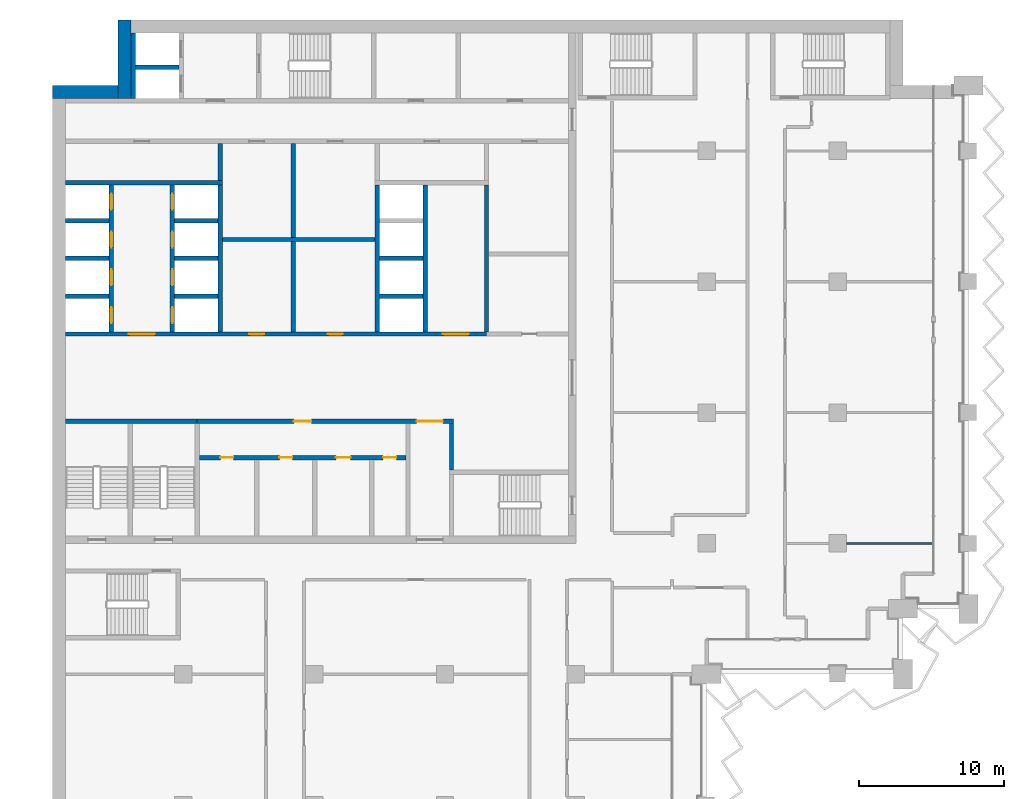
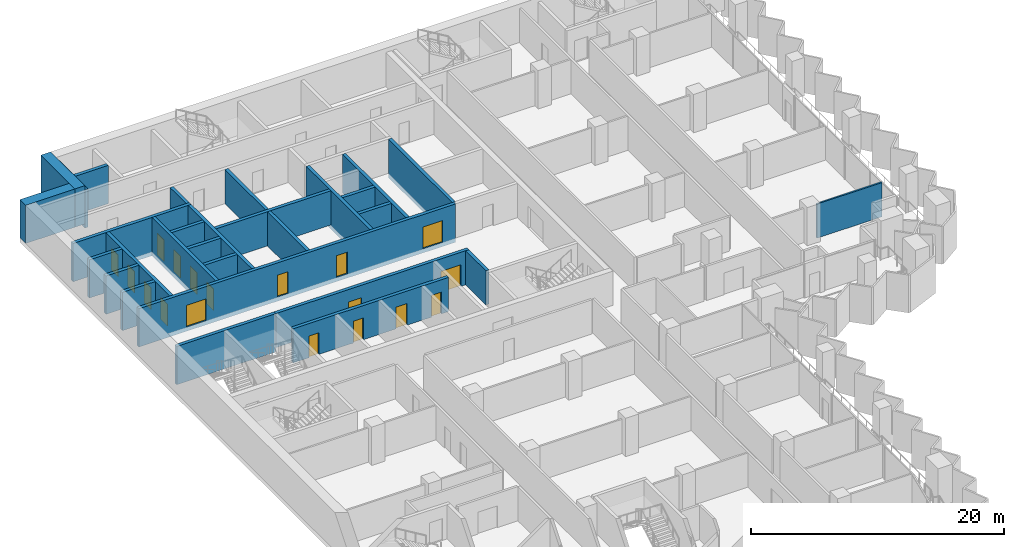
# One storey, part 12 of 22: 28 walls, 18 doors, 18 openings.
"""IFC4 building model written with IfcOpenShell, lengths in metres."""

from ifc_helpers import new_model, si_unit, direction, frame, frame_2d, origin, place, context, subcontext, project, spatial, rectangle, extrude, material, layer, layer_set, type_object, element, fill, save


model = new_model("IFC4")

# Units and contexts
model_context = context("Model", 3, precision=1e-05, world=origin(), true_north=direction((0.0, 1.0)))
body_context = subcontext(model_context, "Body", "Model", "MODEL_VIEW")
ifc_project = project(units=[si_unit("LENGTHUNIT", "METRE"), si_unit("AREAUNIT", "SQUARE_METRE"), si_unit("VOLUMEUNIT", "CUBIC_METRE"), si_unit("PLANEANGLEUNIT", "RADIAN"), si_unit("MASSUNIT", "GRAM", prefix="KILO")], contexts=[model_context])

# Site, building, storey
site_placement = place(None, origin())
site = spatial("IfcSite", under=ifc_project, at=site_placement, CompositionType="ELEMENT")
building_placement = place(site_placement, origin())
building = spatial("IfcBuilding", under=site, at=building_placement, Name="Hunhe Ridgeline Campus", CompositionType="ELEMENT")
storey_placement = place(building_placement, frame((0.0, 0.0, 133.800048828125)))
storey = spatial("IfcBuildingStorey", under=building, at=storey_placement, Name="L33", CompositionType="ELEMENT", Elevation=133.800048828125)

# Wall, openings, doors
ifc_material_1 = material(Name="Masonry concrete blockwork", Category="masonry")
ifc_layer_1 = layer(ifc_material_1, 0.300048828125)
ifc_layer_set_1 = layer_set([ifc_layer_1], Name="Core room partition 300 concrete block")
wall_type_1 = type_object("IfcWallType", Name="Core room partition 300 concrete block", PredefinedType="PARTITIONING", material=ifc_layer_set_1)
wall_1_placement = place(storey_placement, frame((10.10009765625, 68.89990234375, 0.0), z_axis=(0.0, 0.0, 1.0), x_axis=(1.0, 0.0, 0.0)))
wall_1 = element("IfcWall", 1, at=wall_1_placement, inside=storey, type_object=wall_type_1, Name="L33 core partition 9", PredefinedType="PARTITIONING", context=body_context, shape_type="SweptSolid", body=[
    extrude(rectangle(XDim=14.199951171875, YDim=0.300048828125, at=frame_2d((7.10009765625, 0.0))), origin(), (0.0, 0.0, 1.0), 3.300048828125),
])
opening_1_placement = place(wall_1_placement, frame((1.449951171875, 0.0, 0.0)))
opening_1 = element("IfcOpeningElement", 2, at=opening_1_placement, cuts=wall_1, Name="Opening CD8", PredefinedType="OPENING", context=body_context, shape_type="SweptSolid", body=[
    extrude(rectangle(XDim=0.89990234375, YDim=2.10009765625, at=frame_2d((0.449951171875, 1.050048828125))), frame((0.0, 0.14990234375, 0.0), z_axis=(0.0, -1.0, 0.0), x_axis=(1.0, 0.0, 0.0)), (0.0, 0.0, 1.0), 0.300048828125),
])
opening_2_placement = place(wall_1_placement, frame((5.5, 0.0, 0.0)))
opening_2 = element("IfcOpeningElement", 3, at=opening_2_placement, cuts=wall_1, Name="Opening CD9", PredefinedType="OPENING", context=body_context, shape_type="SweptSolid", body=[
    extrude(rectangle(XDim=0.89990234375, YDim=2.10009765625, at=frame_2d((0.449951171875, 1.050048828125))), frame((0.0, 0.14990234375, 0.0), z_axis=(0.0, -1.0, 0.0), x_axis=(1.0, 0.0, 0.0)), (0.0, 0.0, 1.0), 0.300048828125),
])
opening_3_placement = place(wall_1_placement, frame((9.39990234375, 0.0, 0.0)))
opening_3 = element("IfcOpeningElement", 4, at=opening_3_placement, cuts=wall_1, Name="Opening CD10", PredefinedType="OPENING", context=body_context, shape_type="SweptSolid", body=[
    extrude(rectangle(XDim=1.0, YDim=2.10009765625, at=frame_2d((0.5, 1.050048828125))), frame((0.0, 0.14990234375, 0.0), z_axis=(0.0, -1.0, 0.0), x_axis=(1.0, 0.0, 0.0)), (0.0, 0.0, 1.0), 0.300048828125),
])
opening_4_placement = place(wall_1_placement, frame((12.64990234375, 0.0, 0.0)))
opening_4 = element("IfcOpeningElement", 5, at=opening_4_placement, cuts=wall_1, Name="Opening CD11", PredefinedType="OPENING", context=body_context, shape_type="SweptSolid", body=[
    extrude(rectangle(XDim=0.89990234375, YDim=2.10009765625, at=frame_2d((0.449951171875, 1.050048828125))), frame((0.0, 0.14990234375, 0.0), z_axis=(0.0, -1.0, 0.0), x_axis=(1.0, 0.0, 0.0)), (0.0, 0.0, 1.0), 0.300048828125),
])
ifc_material_2 = material(Name="Solid core timber door leaf", Category="wood")
door_type_1 = type_object("IfcDoorType", Name="Timber door 1000x2100", OperationType="SINGLE_SWING_LEFT", PredefinedType="DOOR", material=ifc_material_2)
door_1_placement = place(opening_3_placement, frame((1.0, 0.0, 0.0), z_axis=(0.0, 0.0, 1.0), x_axis=(-1.0, 0.0, 0.0)))
door_1 = element("IfcDoor", 6, at=door_1_placement, inside=storey, type_object=door_type_1, Name="L33 door WC3", OperationType="SINGLE_SWING_RIGHT", OverallHeight=2.10009765625, OverallWidth=1.0, PredefinedType="DOOR", context=body_context, shape_type="SweptSolid", body=[
    extrude(rectangle(XDim=1.0, YDim=2.10009765625, at=frame_2d((0.5, 1.050048828125))), frame((0.0, 0.02490234375, 0.0), z_axis=(0.0, -1.0, 0.0), x_axis=(1.0, 0.0, 0.0)), (0.0, 0.0, 1.0), 0.050048828125),
])
fill(opening_3, door_1)
door_type_2 = type_object("IfcDoorType", Name="Timber door 900x2100", OperationType="SINGLE_SWING_LEFT", PredefinedType="DOOR", material=ifc_material_2)
door_2_placement = place(opening_1_placement, frame((0.89990234375, 0.0, 0.0), z_axis=(0.0, 0.0, 1.0), x_axis=(-1.0, 0.0, 0.0)))
door_2 = element("IfcDoor", 7, at=door_2_placement, inside=storey, type_object=door_type_2, Name="L33 door WC1", OperationType="SINGLE_SWING_RIGHT", OverallHeight=2.10009765625, OverallWidth=0.89990234375, PredefinedType="DOOR", context=body_context, shape_type="SweptSolid", body=[
    extrude(rectangle(XDim=0.89990234375, YDim=2.10009765625, at=frame_2d((0.449951171875, 1.050048828125))), frame((0.0, 0.02490234375, 0.0), z_axis=(0.0, -1.0, 0.0), x_axis=(1.0, 0.0, 0.0)), (0.0, 0.0, 1.0), 0.050048828125),
])
fill(opening_1, door_2)
door_3_placement = place(opening_2_placement, frame((0.89990234375, 0.0, 0.0), z_axis=(0.0, 0.0, 1.0), x_axis=(-1.0, 0.0, 0.0)))
door_3 = element("IfcDoor", 8, at=door_3_placement, inside=storey, type_object=door_type_2, Name="L33 door WC2", OperationType="SINGLE_SWING_LEFT", OverallHeight=2.10009765625, OverallWidth=0.89990234375, PredefinedType="DOOR", context=body_context, shape_type="SweptSolid", body=[
    extrude(rectangle(XDim=0.89990234375, YDim=2.10009765625, at=frame_2d((0.449951171875, 1.050048828125))), frame((0.0, 0.02490234375, 0.0), z_axis=(0.0, -1.0, 0.0), x_axis=(1.0, 0.0, 0.0)), (0.0, 0.0, 1.0), 0.050048828125),
])
fill(opening_2, door_3)
door_4_placement = place(opening_4_placement, frame((0.89990234375, 0.0, 0.0), z_axis=(0.0, 0.0, 1.0), x_axis=(-1.0, 0.0, 0.0)))
door_4 = element("IfcDoor", 9, at=door_4_placement, inside=storey, type_object=door_type_2, Name="L33 door WC4", OperationType="SINGLE_SWING_LEFT", OverallHeight=2.10009765625, OverallWidth=0.89990234375, PredefinedType="DOOR", context=body_context, shape_type="SweptSolid", body=[
    extrude(rectangle(XDim=0.89990234375, YDim=2.10009765625, at=frame_2d((0.449951171875, 1.050048828125))), frame((0.0, 0.02490234375, 0.0), z_axis=(0.0, -1.0, 0.0), x_axis=(1.0, 0.0, 0.0)), (0.0, 0.0, 1.0), 0.050048828125),
])
fill(opening_4, door_4)

wall_2_placement = place(storey_placement, frame((9.949951171875, 71.39990234375, 0.0), z_axis=(0.0, 0.0, 1.0), x_axis=(1.0, 0.0, 0.0)))
wall_2 = element("IfcWall", 10, at=wall_2_placement, inside=storey, type_object=wall_type_1, Name="L33 core partition 11", PredefinedType="PARTITIONING", context=body_context, shape_type="SweptSolid", body=[
    extrude(rectangle(XDim=17.650146484375, YDim=0.300048828125, at=frame_2d((8.8251953125, 0.0))), origin(), (0.0, 0.0, 1.0), 3.300048828125),
])
opening_5_placement = place(wall_2_placement, frame((15.10009765625, 0.0, 0.0)))
opening_5 = element("IfcOpeningElement", 11, at=opening_5_placement, cuts=wall_2, Name="Opening CD7", PredefinedType="OPENING", context=body_context, shape_type="SweptSolid", body=[
    extrude(rectangle(XDim=1.800048828125, YDim=2.10009765625, at=frame_2d((0.89990234375, 1.050048828125))), frame((0.0, 0.14990234375, 0.0), z_axis=(0.0, -1.0, 0.0), x_axis=(1.0, 0.0, 0.0)), (0.0, 0.0, 1.0), 0.300048828125),
])
opening_6_placement = place(wall_2_placement, frame((6.64990234375, 0.0, 0.0)))
opening_6 = element("IfcOpeningElement", 12, at=opening_6_placement, cuts=wall_2, Name="Opening CD37", PredefinedType="OPENING", context=body_context, shape_type="SweptSolid", body=[
    extrude(rectangle(XDim=1.199951171875, YDim=2.10009765625, at=frame_2d((0.60009765625, 1.050048828125))), frame((0.0, 0.14990234375, 0.0), z_axis=(0.0, -1.0, 0.0), x_axis=(1.0, 0.0, 0.0)), (0.0, 0.0, 1.0), 0.300048828125),
])
ifc_material_3 = material(Name="Anodised aluminium and glass", Category="aluminium")
door_type_3 = type_object("IfcDoorType", Name="Glazed double door 1800x2100", OperationType="DOUBLE_DOOR_SINGLE_SWING", PredefinedType="DOOR", material=ifc_material_3)
door_5_placement = place(opening_5_placement, origin())
door_5 = element("IfcDoor", 13, at=door_5_placement, inside=storey, type_object=door_type_3, Name="L33 door VEST-HALL", OperationType="DOUBLE_DOOR_SINGLE_SWING", OverallHeight=2.10009765625, OverallWidth=1.800048828125, PredefinedType="DOOR", context=body_context, shape_type="SweptSolid", body=[
    extrude(rectangle(XDim=1.800048828125, YDim=2.10009765625, at=frame_2d((0.89990234375, 1.050048828125))), frame((0.0, 0.02490234375, 0.0), z_axis=(0.0, -1.0, 0.0), x_axis=(1.0, 0.0, 0.0)), (0.0, 0.0, 1.0), 0.050048828125),
])
fill(opening_5, door_5)
door_type_4 = type_object("IfcDoorType", Name="Timber door 1200x2100", OperationType="SINGLE_SWING_LEFT", PredefinedType="DOOR", material=ifc_material_2)
door_6_placement = place(opening_6_placement, origin())
door_6 = element("IfcDoor", 14, at=door_6_placement, inside=storey, type_object=door_type_4, Name="L33 door WCL1-HALL", OperationType="SINGLE_SWING_LEFT", OverallHeight=2.10009765625, OverallWidth=1.199951171875, PredefinedType="DOOR", context=body_context, shape_type="SweptSolid", body=[
    extrude(rectangle(XDim=1.199951171875, YDim=2.10009765625, at=frame_2d((0.60009765625, 1.050048828125))), frame((0.0, 0.02490234375, 0.0), z_axis=(0.0, -1.0, 0.0), x_axis=(1.0, 0.0, 0.0)), (0.0, 0.0, 1.0), 0.050048828125),
])
fill(opening_6, door_6)

# Walls
wall_3_placement = place(storey_placement, frame((11.699951171875, 83.89990234375, 0.0), z_axis=(0.0, 0.0, 1.0), x_axis=(1.0, 0.0, 0.0)))
element("IfcWall", 15, at=wall_3_placement, inside=storey, type_object=wall_type_1, Name="L33 core partition 21", PredefinedType="PARTITIONING", context=body_context, shape_type="SweptSolid", body=[
    extrude(rectangle(XDim=10.5, YDim=0.300048828125, at=frame_2d((5.25, 0.0))), origin(), (0.0, 0.0, 1.0), 3.300048828125),
])
wall_4_placement = place(storey_placement, frame((11.550048828125, 87.949951171875, 0.0), z_axis=(0.0, 0.0, 1.0), x_axis=(0.0, 1.0, 0.0)))
element("IfcWall", 16, at=wall_4_placement, inside=storey, type_object=wall_type_1, Name="L33 core partition 41", PredefinedType="PARTITIONING", context=body_context, shape_type="SweptSolid", body=[
    extrude(rectangle(XDim=2.550048828125, YDim=0.300048828125, at=frame_2d((1.27490234375, 0.0))), origin(), (0.0, 0.0, 1.0), 3.300048828125),
])
wall_5_placement = place(storey_placement, frame((16.550048828125, 77.550048828125, 0.0), z_axis=(0.0, 0.0, 1.0), x_axis=(0.0, 1.0, 0.0)))
element("IfcWall", 17, at=wall_5_placement, inside=storey, type_object=wall_type_1, Name="L33 core partition 44", PredefinedType="PARTITIONING", context=body_context, shape_type="SweptSolid", body=[
    extrude(rectangle(XDim=12.949951171875, YDim=0.300048828125, at=frame_2d((6.47509765625, 0.0))), origin(), (0.0, 0.0, 1.0), 3.300048828125),
])
wall_6_placement = place(storey_placement, frame((27.449951171875, 68.050048828125, 0.0), z_axis=(0.0, 0.0, 1.0), x_axis=(0.0, 1.0, 0.0)))
element("IfcWall", 18, at=wall_6_placement, inside=storey, type_object=wall_type_1, Name="L33 core partition 55", PredefinedType="PARTITIONING", context=body_context, shape_type="SweptSolid", body=[
    extrude(rectangle(XDim=3.199951171875, YDim=0.300048828125, at=frame_2d((1.60009765625, 0.0))), origin(), (0.0, 0.0, 1.0), 3.300048828125),
])
ifc_material_4 = material(Name="Concrete C70", Category="concrete")
ifc_layer_2 = layer(ifc_material_4, 0.300048828125)
ifc_layer_set_2 = layer_set([ifc_layer_2], Name="Lobby wall 300 reinforced concrete C70")
wall_type_2 = type_object("IfcWallType", Name="Lobby wall 300 reinforced concrete C70", PredefinedType="SOLIDWALL", material=ifc_layer_set_2)
wall_7_placement = place(storey_placement, frame((29.85009765625, 77.550048828125, -0.400146484375), z_axis=(0.0, 0.0, 1.0), x_axis=(0.0, 1.0, 0.0)))
element("IfcWall", 19, at=wall_7_placement, inside=storey, type_object=wall_type_2, Name="L33 core wall 57", PredefinedType="SOLIDWALL", context=body_context, shape_type="SweptSolid", body=[
    extrude(rectangle(XDim=10.099853515625, YDim=0.300048828125, at=frame_2d((5.0498046875, 0.0))), origin(), (0.0, 0.0, 1.0), 3.7001953125),
])
ifc_material_5 = material(Name="Gypsum board partition")
ifc_layer_3 = layer(ifc_material_5, 0.14990234375)
ifc_layer_set_3 = layer_set([ifc_layer_3], Name="Room partition 150 gypsum board on steel studs")
wall_type_3 = type_object("IfcWallType", Name="Room partition 150 gypsum board on steel studs", PredefinedType="PARTITIONING", material=ifc_layer_set_3)
wall_8_placement = place(storey_placement, frame((54.60009765625, 63.0, 0.0), z_axis=(0.0, 0.0, 1.0), x_axis=(1.0, 0.0, 0.0)))
element("IfcWall", 20, at=wall_8_placement, inside=storey, type_object=wall_type_3, Name="F-L33-wall-043", PredefinedType="PARTITIONING", context=body_context, shape_type="SweptSolid", body=[
    extrude(rectangle(XDim=5.94482421875, YDim=0.14990234375, at=frame_2d((2.972412109375, 0.0))), origin(), (0.0, 0.0, 1.0), 3.300048828125),
])

# Wall, openings, doors
ifc_layer_4 = layer(ifc_material_4, 0.300048828125)
ifc_layer_set_4 = layer_set([ifc_layer_4], Name="Shaft wall 300 reinforced concrete C70")
wall_type_4 = type_object("IfcWallType", Name="Shaft wall 300 reinforced concrete C70", PredefinedType="SOLIDWALL", material=ifc_layer_set_4)
wall_9_placement = place(storey_placement, frame((0.89990234375, 77.39990234375, -0.400146484375), z_axis=(0.0, 0.0, 1.0), x_axis=(1.0, 0.0, 0.0)))
wall_9 = element("IfcWall", 21, at=wall_9_placement, inside=storey, type_object=wall_type_4, Name="L33 core wall 12", PredefinedType="SOLIDWALL", context=body_context, shape_type="SweptSolid", body=[
    extrude(rectangle(XDim=28.9501953125, YDim=0.300048828125, at=frame_2d((14.47509765625, 0.0))), origin(), (0.0, 0.0, 1.0), 3.7001953125),
])
opening_7_placement = place(wall_9_placement, frame((4.35009765625, 0.0, 0.39990234375)))
opening_7 = element("IfcOpeningElement", 22, at=opening_7_placement, cuts=wall_9, Name="Opening CD1", PredefinedType="OPENING", context=body_context, shape_type="SweptSolid", body=[
    extrude(rectangle(XDim=1.800048828125, YDim=2.10009765625, at=frame_2d((0.89990234375, 1.050048828125))), frame((0.0, 0.14990234375, 0.0), z_axis=(0.0, -1.0, 0.0), x_axis=(1.0, 0.0, 0.0)), (0.0, 0.0, 1.0), 0.300048828125),
])
opening_8_placement = place(wall_9_placement, frame((25.949951171875, 0.0, 0.39990234375)))
opening_8 = element("IfcOpeningElement", 23, at=opening_8_placement, cuts=wall_9, Name="Opening CD2", PredefinedType="OPENING", context=body_context, shape_type="SweptSolid", body=[
    extrude(rectangle(XDim=1.800048828125, YDim=2.10009765625, at=frame_2d((0.89990234375, 1.050048828125))), frame((0.0, 0.14990234375, 0.0), z_axis=(0.0, -1.0, 0.0), x_axis=(1.0, 0.0, 0.0)), (0.0, 0.0, 1.0), 0.300048828125),
])
opening_9_placement = place(wall_9_placement, frame((12.64990234375, 0.0, 0.39990234375)))
opening_9 = element("IfcOpeningElement", 24, at=opening_9_placement, cuts=wall_9, Name="Opening CD28", PredefinedType="OPENING", context=body_context, shape_type="SweptSolid", body=[
    extrude(rectangle(XDim=1.0, YDim=2.10009765625, at=frame_2d((0.5, 1.050048828125))), frame((0.0, 0.14990234375, 0.0), z_axis=(0.0, -1.0, 0.0), x_axis=(1.0, 0.0, 0.0)), (0.0, 0.0, 1.0), 0.300048828125),
])
opening_10_placement = place(wall_9_placement, frame((18.050048828125, 0.0, 0.39990234375)))
opening_10 = element("IfcOpeningElement", 25, at=opening_10_placement, cuts=wall_9, Name="Opening CD30", PredefinedType="OPENING", context=body_context, shape_type="SweptSolid", body=[
    extrude(rectangle(XDim=1.0, YDim=2.10009765625, at=frame_2d((0.5, 1.050048828125))), frame((0.0, 0.14990234375, 0.0), z_axis=(0.0, -1.0, 0.0), x_axis=(1.0, 0.0, 0.0)), (0.0, 0.0, 1.0), 0.300048828125),
])
ifc_material_6 = material(Name="Hollow metal fire door leaf")
door_type_5 = type_object("IfcDoorType", Name="Lobby door 1800x2100 FD60", OperationType="SINGLE_SWING_LEFT", PredefinedType="DOOR", material=ifc_material_6)
door_7_placement = place(opening_7_placement, frame((1.800048828125, 0.0, 0.0), z_axis=(0.0, 0.0, 1.0), x_axis=(-1.0, 0.0, 0.0)))
door_7 = element("IfcDoor", 26, at=door_7_placement, inside=storey, type_object=door_type_5, Name="L33 door LOB-LR", OperationType="SINGLE_SWING_RIGHT", OverallHeight=2.10009765625, OverallWidth=1.800048828125, PredefinedType="DOOR", context=body_context, shape_type="SweptSolid", body=[
    extrude(rectangle(XDim=1.800048828125, YDim=2.10009765625, at=frame_2d((0.89990234375, 1.050048828125))), frame((0.0, 0.02490234375, 0.0), z_axis=(0.0, -1.0, 0.0), x_axis=(1.0, 0.0, 0.0)), (0.0, 0.0, 1.0), 0.050048828125),
])
fill(opening_7, door_7)
door_8_placement = place(opening_8_placement, frame((1.800048828125, 0.0, 0.0), z_axis=(0.0, 0.0, 1.0), x_axis=(-1.0, 0.0, 0.0)))
door_8 = element("IfcDoor", 27, at=door_8_placement, inside=storey, type_object=door_type_5, Name="L33 door LOB-SH", OperationType="SINGLE_SWING_LEFT", OverallHeight=2.10009765625, OverallWidth=1.800048828125, PredefinedType="DOOR", context=body_context, shape_type="SweptSolid", body=[
    extrude(rectangle(XDim=1.800048828125, YDim=2.10009765625, at=frame_2d((0.89990234375, 1.050048828125))), frame((0.0, 0.02490234375, 0.0), z_axis=(0.0, -1.0, 0.0), x_axis=(1.0, 0.0, 0.0)), (0.0, 0.0, 1.0), 0.050048828125),
])
fill(opening_8, door_8)
door_9_placement = place(opening_9_placement, origin())
door_9 = element("IfcDoor", 28, at=door_9_placement, inside=storey, type_object=door_type_1, Name="L33 door VD-HR0", OperationType="SINGLE_SWING_RIGHT", OverallHeight=2.10009765625, OverallWidth=1.0, PredefinedType="DOOR", context=body_context, shape_type="SweptSolid", body=[
    extrude(rectangle(XDim=1.0, YDim=2.10009765625, at=frame_2d((0.5, 1.050048828125))), frame((0.0, 0.02490234375, 0.0), z_axis=(0.0, -1.0, 0.0), x_axis=(1.0, 0.0, 0.0)), (0.0, 0.0, 1.0), 0.050048828125),
])
fill(opening_9, door_9)
door_10_placement = place(opening_10_placement, origin())
door_10 = element("IfcDoor", 29, at=door_10_placement, inside=storey, type_object=door_type_1, Name="L33 door VD-HR2", OperationType="SINGLE_SWING_RIGHT", OverallHeight=2.10009765625, OverallWidth=1.0, PredefinedType="DOOR", context=body_context, shape_type="SweptSolid", body=[
    extrude(rectangle(XDim=1.0, YDim=2.10009765625, at=frame_2d((0.5, 1.050048828125))), frame((0.0, 0.02490234375, 0.0), z_axis=(0.0, -1.0, 0.0), x_axis=(1.0, 0.0, 0.0)), (0.0, 0.0, 1.0), 0.050048828125),
])
fill(opening_10, door_10)

# Walls
for number, where, z_axis, x_axis, name in (
    (30, (0.89990234375, 80.0, -0.400146484375), (0.0, 0.0, 1.0), (1.0, 0.0, 0.0), "L33 core wall 14"),
    (31, (8.39990234375, 80.0, -0.400146484375), (0.0, 0.0, 1.0), (1.0, 0.0, 0.0), "L33 core wall 15"),
    (32, (22.5, 80.0, -0.400146484375), (0.0, 0.0, 1.0), (1.0, 0.0, 0.0), "L33 core wall 16"),
    (33, (0.89990234375, 82.60009765625, -0.400146484375), (0.0, 0.0, 1.0), (1.0, 0.0, 0.0), "L33 core wall 17"),
    (34, (8.39990234375, 82.60009765625, -0.400146484375), (0.0, 0.0, 1.0), (1.0, 0.0, 0.0), "L33 core wall 18"),
    (35, (22.5, 82.60009765625, -0.400146484375), (0.0, 0.0, 1.0), (1.0, 0.0, 0.0), "L33 core wall 19"),
    (36, (0.89990234375, 85.199951171875, -0.400146484375), (0.0, 0.0, 1.0), (1.0, 0.0, 0.0), "L33 core wall 22"),
    (37, (8.39990234375, 85.199951171875, -0.400146484375), (0.0, 0.0, 1.0), (1.0, 0.0, 0.0), "L33 core wall 23"),
):
    element("IfcWall", number, at=place(storey_placement, frame(where, z_axis=z_axis, x_axis=x_axis)), inside=storey, type_object=wall_type_4, Name=name, PredefinedType="SOLIDWALL", context=body_context, shape_type="SweptSolid", body=[
        extrude(rectangle(XDim=3.0, YDim=0.300048828125, at=frame_2d((1.5, 0.0))), origin(), (0.0, 0.0, 1.0), 3.7001953125),
    ])
wall_10_placement = place(storey_placement, frame((0.89990234375, 87.800048828125, -0.400146484375), z_axis=(0.0, 0.0, 1.0), x_axis=(1.0, 0.0, 0.0)))
element("IfcWall", 38, at=wall_10_placement, inside=storey, type_object=wall_type_4, Name="L33 core wall 25", PredefinedType="SOLIDWALL", context=body_context, shape_type="SweptSolid", body=[
    extrude(rectangle(XDim=10.800048828125, YDim=0.300048828125, at=frame_2d((5.39990234375, 0.0))), origin(), (0.0, 0.0, 1.0), 3.7001953125),
])
wall_11_placement = place(storey_placement, frame((5.699951171875, 95.75, -0.400146484375), z_axis=(0.0, 0.0, 1.0), x_axis=(1.0, 0.0, 0.0)))
element("IfcWall", 39, at=wall_11_placement, inside=storey, type_object=wall_type_4, Name="L33 core wall 31", PredefinedType="SOLIDWALL", context=body_context, shape_type="SweptSolid", body=[
    extrude(rectangle(XDim=3.0, YDim=0.300048828125, at=frame_2d((1.5, 0.0))), origin(), (0.0, 0.0, 1.0), 3.7001953125),
])

# Wall, openings, doors
wall_12_placement = place(storey_placement, frame((4.050048828125, 77.550048828125, -0.400146484375), z_axis=(0.0, 0.0, 1.0), x_axis=(0.0, 1.0, 0.0)))
wall_12 = element("IfcWall", 40, at=wall_12_placement, inside=storey, type_object=wall_type_4, Name="L33 core wall 32", PredefinedType="SOLIDWALL", context=body_context, shape_type="SweptSolid", body=[
    extrude(rectangle(XDim=10.099853515625, YDim=0.300048828125, at=frame_2d((5.0498046875, 0.0))), origin(), (0.0, 0.0, 1.0), 3.7001953125),
])
opening_11_placement = place(wall_12_placement, frame((0.60009765625, 0.0, 0.39990234375)))
opening_11 = element("IfcOpeningElement", 41, at=opening_11_placement, cuts=wall_12, Name="Opening LD-LR1", PredefinedType="OPENING", context=body_context, shape_type="SweptSolid", body=[
    extrude(rectangle(XDim=1.10009765625, YDim=2.10009765625, at=frame_2d((0.550048828125, 1.050048828125))), frame((0.0, 0.14990234375, 0.0), z_axis=(0.0, -1.0, 0.0), x_axis=(1.0, 0.0, 0.0)), (0.0, 0.0, 1.0), 0.300048828125),
])
opening_12_placement = place(wall_12_placement, frame((3.199951171875, 0.0, 0.39990234375)))
opening_12 = element("IfcOpeningElement", 42, at=opening_12_placement, cuts=wall_12, Name="Opening LD-LR2", PredefinedType="OPENING", context=body_context, shape_type="SweptSolid", body=[
    extrude(rectangle(XDim=1.10009765625, YDim=2.10009765625, at=frame_2d((0.550048828125, 1.050048828125))), frame((0.0, 0.14990234375, 0.0), z_axis=(0.0, -1.0, 0.0), x_axis=(1.0, 0.0, 0.0)), (0.0, 0.0, 1.0), 0.300048828125),
])
opening_13_placement = place(wall_12_placement, frame((5.800048828125, 0.0, 0.39990234375)))
opening_13 = element("IfcOpeningElement", 43, at=opening_13_placement, cuts=wall_12, Name="Opening LD-LR3", PredefinedType="OPENING", context=body_context, shape_type="SweptSolid", body=[
    extrude(rectangle(XDim=1.10009765625, YDim=2.10009765625, at=frame_2d((0.550048828125, 1.050048828125))), frame((0.0, 0.14990234375, 0.0), z_axis=(0.0, -1.0, 0.0), x_axis=(1.0, 0.0, 0.0)), (0.0, 0.0, 1.0), 0.300048828125),
])
opening_14_placement = place(wall_12_placement, frame((8.39990234375, 0.0, 0.39990234375)))
opening_14 = element("IfcOpeningElement", 44, at=opening_14_placement, cuts=wall_12, Name="Opening LD-LR4", PredefinedType="OPENING", context=body_context, shape_type="SweptSolid", body=[
    extrude(rectangle(XDim=1.10009765625, YDim=2.10009765625, at=frame_2d((0.550048828125, 1.050048828125))), frame((0.0, 0.14990234375, 0.0), z_axis=(0.0, -1.0, 0.0), x_axis=(1.0, 0.0, 0.0)), (0.0, 0.0, 1.0), 0.300048828125),
])
ifc_material_7 = material(Name="Stainless steel sliding leaves", Category="steel")
door_type_6 = type_object("IfcDoorType", Name="Landing door 1100x2100 FD120", OperationType="SLIDING_TO_LEFT", PredefinedType="DOOR", material=ifc_material_7)
door_11_placement = place(opening_11_placement, origin())
door_11 = element("IfcDoor", 45, at=door_11_placement, inside=storey, type_object=door_type_6, Name="L33 landing door LR1", OperationType="SLIDING_TO_RIGHT", OverallHeight=2.10009765625, OverallWidth=1.10009765625, PredefinedType="DOOR", context=body_context, shape_type="SweptSolid", body=[
    extrude(rectangle(XDim=1.10009765625, YDim=2.10009765625, at=frame_2d((0.550048828125, 1.050048828125))), frame((0.0, 0.02490234375, 0.0), z_axis=(0.0, -1.0, 0.0), x_axis=(1.0, 0.0, 0.0)), (0.0, 0.0, 1.0), 0.050048828125),
])
fill(opening_11, door_11)
door_12_placement = place(opening_12_placement, origin())
door_12 = element("IfcDoor", 46, at=door_12_placement, inside=storey, type_object=door_type_6, Name="L33 landing door LR2", OperationType="SLIDING_TO_LEFT", OverallHeight=2.10009765625, OverallWidth=1.10009765625, PredefinedType="DOOR", context=body_context, shape_type="SweptSolid", body=[
    extrude(rectangle(XDim=1.10009765625, YDim=2.10009765625, at=frame_2d((0.550048828125, 1.050048828125))), frame((0.0, 0.02490234375, 0.0), z_axis=(0.0, -1.0, 0.0), x_axis=(1.0, 0.0, 0.0)), (0.0, 0.0, 1.0), 0.050048828125),
])
fill(opening_12, door_12)
door_13_placement = place(opening_13_placement, origin())
door_13 = element("IfcDoor", 47, at=door_13_placement, inside=storey, type_object=door_type_6, Name="L33 landing door LR3", OperationType="SLIDING_TO_RIGHT", OverallHeight=2.10009765625, OverallWidth=1.10009765625, PredefinedType="DOOR", context=body_context, shape_type="SweptSolid", body=[
    extrude(rectangle(XDim=1.10009765625, YDim=2.10009765625, at=frame_2d((0.550048828125, 1.050048828125))), frame((0.0, 0.02490234375, 0.0), z_axis=(0.0, -1.0, 0.0), x_axis=(1.0, 0.0, 0.0)), (0.0, 0.0, 1.0), 0.050048828125),
])
fill(opening_13, door_13)
door_14_placement = place(opening_14_placement, origin())
door_14 = element("IfcDoor", 48, at=door_14_placement, inside=storey, type_object=door_type_6, Name="L33 landing door LR4", OperationType="SLIDING_TO_LEFT", OverallHeight=2.10009765625, OverallWidth=1.10009765625, PredefinedType="DOOR", context=body_context, shape_type="SweptSolid", body=[
    extrude(rectangle(XDim=1.10009765625, YDim=2.10009765625, at=frame_2d((0.550048828125, 1.050048828125))), frame((0.0, 0.02490234375, 0.0), z_axis=(0.0, -1.0, 0.0), x_axis=(1.0, 0.0, 0.0)), (0.0, 0.0, 1.0), 0.050048828125),
])
fill(opening_14, door_14)

# Wall
wall_13_placement = place(storey_placement, frame((5.550048828125, 93.60009765625, -0.400146484375), z_axis=(0.0, 0.0, 1.0), x_axis=(0.0, 1.0, 0.0)))
element("IfcWall", 49, at=wall_13_placement, inside=storey, type_object=wall_type_4, Name="L33 core wall 34", PredefinedType="SOLIDWALL", context=body_context, shape_type="SweptSolid", body=[
    extrude(rectangle(XDim=4.5, YDim=0.300048828125, at=frame_2d((2.25, 0.0))), origin(), (0.0, 0.0, 1.0), 3.7001953125),
])

# Wall, openings, doors
wall_14_placement = place(storey_placement, frame((8.25, 77.550048828125, -0.400146484375), z_axis=(0.0, 0.0, 1.0), x_axis=(0.0, 1.0, 0.0)))
wall_14 = element("IfcWall", 50, at=wall_14_placement, inside=storey, type_object=wall_type_4, Name="L33 core wall 35", PredefinedType="SOLIDWALL", context=body_context, shape_type="SweptSolid", body=[
    extrude(rectangle(XDim=10.099853515625, YDim=0.300048828125, at=frame_2d((5.0498046875, 0.0))), origin(), (0.0, 0.0, 1.0), 3.7001953125),
])
opening_15_placement = place(wall_14_placement, frame((0.60009765625, 0.0, 0.39990234375)))
opening_15 = element("IfcOpeningElement", 51, at=opening_15_placement, cuts=wall_14, Name="Opening LD-LR5", PredefinedType="OPENING", context=body_context, shape_type="SweptSolid", body=[
    extrude(rectangle(XDim=1.10009765625, YDim=2.10009765625, at=frame_2d((0.550048828125, 1.050048828125))), frame((0.0, 0.14990234375, 0.0), z_axis=(0.0, -1.0, 0.0), x_axis=(1.0, 0.0, 0.0)), (0.0, 0.0, 1.0), 0.300048828125),
])
opening_16_placement = place(wall_14_placement, frame((3.199951171875, 0.0, 0.39990234375)))
opening_16 = element("IfcOpeningElement", 52, at=opening_16_placement, cuts=wall_14, Name="Opening LD-LR6", PredefinedType="OPENING", context=body_context, shape_type="SweptSolid", body=[
    extrude(rectangle(XDim=1.10009765625, YDim=2.10009765625, at=frame_2d((0.550048828125, 1.050048828125))), frame((0.0, 0.14990234375, 0.0), z_axis=(0.0, -1.0, 0.0), x_axis=(1.0, 0.0, 0.0)), (0.0, 0.0, 1.0), 0.300048828125),
])
opening_17_placement = place(wall_14_placement, frame((5.800048828125, 0.0, 0.39990234375)))
opening_17 = element("IfcOpeningElement", 53, at=opening_17_placement, cuts=wall_14, Name="Opening LD-LR7", PredefinedType="OPENING", context=body_context, shape_type="SweptSolid", body=[
    extrude(rectangle(XDim=1.10009765625, YDim=2.10009765625, at=frame_2d((0.550048828125, 1.050048828125))), frame((0.0, 0.14990234375, 0.0), z_axis=(0.0, -1.0, 0.0), x_axis=(1.0, 0.0, 0.0)), (0.0, 0.0, 1.0), 0.300048828125),
])
opening_18_placement = place(wall_14_placement, frame((8.39990234375, 0.0, 0.39990234375)))
opening_18 = element("IfcOpeningElement", 54, at=opening_18_placement, cuts=wall_14, Name="Opening LD-LR8", PredefinedType="OPENING", context=body_context, shape_type="SweptSolid", body=[
    extrude(rectangle(XDim=1.10009765625, YDim=2.10009765625, at=frame_2d((0.550048828125, 1.050048828125))), frame((0.0, 0.14990234375, 0.0), z_axis=(0.0, -1.0, 0.0), x_axis=(1.0, 0.0, 0.0)), (0.0, 0.0, 1.0), 0.300048828125),
])
door_15_placement = place(opening_15_placement, origin())
door_15 = element("IfcDoor", 55, at=door_15_placement, inside=storey, type_object=door_type_6, Name="L33 landing door LR5", OperationType="SLIDING_TO_RIGHT", OverallHeight=2.10009765625, OverallWidth=1.10009765625, PredefinedType="DOOR", context=body_context, shape_type="SweptSolid", body=[
    extrude(rectangle(XDim=1.10009765625, YDim=2.10009765625, at=frame_2d((0.550048828125, 1.050048828125))), frame((0.0, 0.02490234375, 0.0), z_axis=(0.0, -1.0, 0.0), x_axis=(1.0, 0.0, 0.0)), (0.0, 0.0, 1.0), 0.050048828125),
])
fill(opening_15, door_15)
door_16_placement = place(opening_16_placement, origin())
door_16 = element("IfcDoor", 56, at=door_16_placement, inside=storey, type_object=door_type_6, Name="L33 landing door LR6", OperationType="SLIDING_TO_LEFT", OverallHeight=2.10009765625, OverallWidth=1.10009765625, PredefinedType="DOOR", context=body_context, shape_type="SweptSolid", body=[
    extrude(rectangle(XDim=1.10009765625, YDim=2.10009765625, at=frame_2d((0.550048828125, 1.050048828125))), frame((0.0, 0.02490234375, 0.0), z_axis=(0.0, -1.0, 0.0), x_axis=(1.0, 0.0, 0.0)), (0.0, 0.0, 1.0), 0.050048828125),
])
fill(opening_16, door_16)
door_17_placement = place(opening_17_placement, origin())
door_17 = element("IfcDoor", 57, at=door_17_placement, inside=storey, type_object=door_type_6, Name="L33 landing door LR7", OperationType="SLIDING_TO_RIGHT", OverallHeight=2.10009765625, OverallWidth=1.10009765625, PredefinedType="DOOR", context=body_context, shape_type="SweptSolid", body=[
    extrude(rectangle(XDim=1.10009765625, YDim=2.10009765625, at=frame_2d((0.550048828125, 1.050048828125))), frame((0.0, 0.02490234375, 0.0), z_axis=(0.0, -1.0, 0.0), x_axis=(1.0, 0.0, 0.0)), (0.0, 0.0, 1.0), 0.050048828125),
])
fill(opening_17, door_17)
door_18_placement = place(opening_18_placement, origin())
door_18 = element("IfcDoor", 58, at=door_18_placement, inside=storey, type_object=door_type_6, Name="L33 landing door LR8", OperationType="SLIDING_TO_LEFT", OverallHeight=2.10009765625, OverallWidth=1.10009765625, PredefinedType="DOOR", context=body_context, shape_type="SweptSolid", body=[
    extrude(rectangle(XDim=1.10009765625, YDim=2.10009765625, at=frame_2d((0.550048828125, 1.050048828125))), frame((0.0, 0.02490234375, 0.0), z_axis=(0.0, -1.0, 0.0), x_axis=(1.0, 0.0, 0.0)), (0.0, 0.0, 1.0), 0.050048828125),
])
fill(opening_18, door_18)

# Walls
for number, where, z_axis, x_axis, name in (
    (59, (11.550048828125, 77.550048828125, -0.400146484375), (0.0, 0.0, 1.0), (0.0, 1.0, 0.0), "L33 core wall 40"),
    (60, (22.35009765625, 77.550048828125, -0.400146484375), (0.0, 0.0, 1.0), (0.0, 1.0, 0.0), "L33 core wall 49"),
    (61, (25.64990234375, 77.550048828125, -0.400146484375), (0.0, 0.0, 1.0), (0.0, 1.0, 0.0), "L33 core wall 53"),
):
    element("IfcWall", number, at=place(storey_placement, frame(where, z_axis=z_axis, x_axis=x_axis)), inside=storey, type_object=wall_type_4, Name=name, PredefinedType="SOLIDWALL", context=body_context, shape_type="SweptSolid", body=[
        extrude(rectangle(XDim=10.099853515625, YDim=0.300048828125, at=frame_2d((5.0498046875, 0.0))), origin(), (0.0, 0.0, 1.0), 3.7001953125),
    ])
ifc_layer_5 = layer(ifc_material_4, 0.89990234375)
ifc_layer_set_5 = layer_set([ifc_layer_5], Name="Spine wall 900 Concrete C70")
wall_type_5 = type_object("IfcWallType", Name="Spine wall 900 Concrete C70", PredefinedType="SHEAR", material=ifc_layer_set_5)
for number, where, z_axis, x_axis, name in (
    (62, (4.949951171875, 99.0, 0.0), (0.0, 0.0, 1.0), (0.0, -1.0, 0.0), "Spine wall SW2-5 L33"),
    (63, (5.400146484375, 94.050048828125, 0.0), (0.0, 0.0, 1.0), (-1.0, 0.0, 0.0), "Spine wall SW2-6 L33"),
):
    element("IfcWall", number, at=place(storey_placement, frame(where, z_axis=z_axis, x_axis=x_axis)), inside=storey, type_object=wall_type_5, Name=name, PredefinedType="SHEAR", context=body_context, shape_type="SweptSolid", body=[
        extrude(rectangle(XDim=5.400146484375, YDim=0.89990234375, at=frame_2d((2.7001953125, 0.0))), origin(), (0.0, 0.0, 1.0), 3.699951171875),
    ])
ifc_layer_6 = layer(ifc_material_4, 0.300048828125)
ifc_layer_set_6 = layer_set([ifc_layer_6], Name="Stair wall 300 reinforced concrete C70")
wall_type_6 = type_object("IfcWallType", Name="Stair wall 300 reinforced concrete C70", PredefinedType="SOLIDWALL", material=ifc_layer_set_6)
wall_15_placement = place(storey_placement, frame((0.89990234375, 71.39990234375, -0.400146484375), z_axis=(0.0, 0.0, 1.0), x_axis=(1.0, 0.0, 0.0)))
element("IfcWall", 64, at=wall_15_placement, inside=storey, type_object=wall_type_6, Name="L33 core wall 10", PredefinedType="SOLIDWALL", context=body_context, shape_type="SweptSolid", body=[
    extrude(rectangle(XDim=9.050048828125, YDim=0.300048828125, at=frame_2d((4.52490234375, 0.0))), origin(), (0.0, 0.0, 1.0), 3.7001953125),
])

save(model, "model.ifc")
